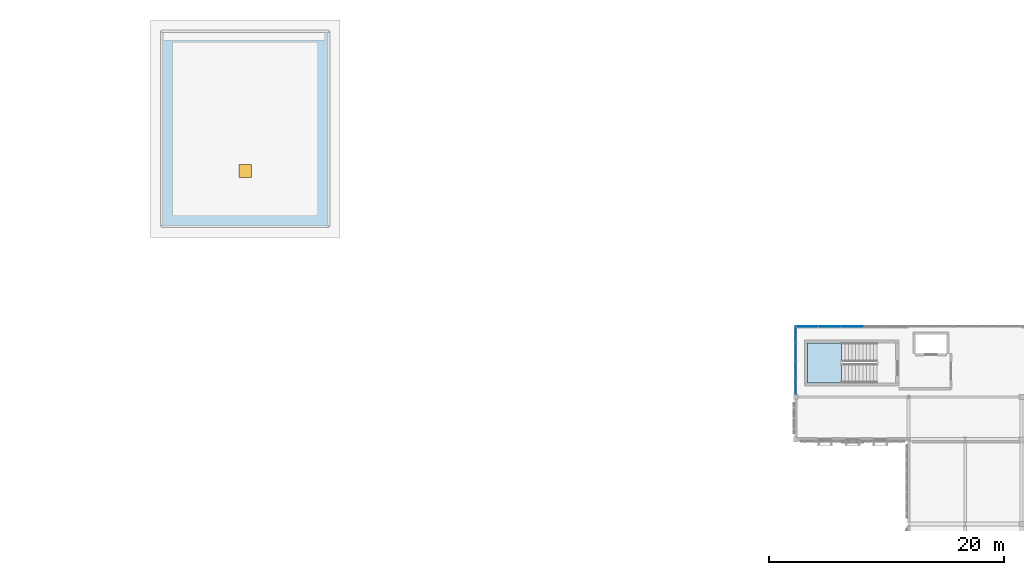
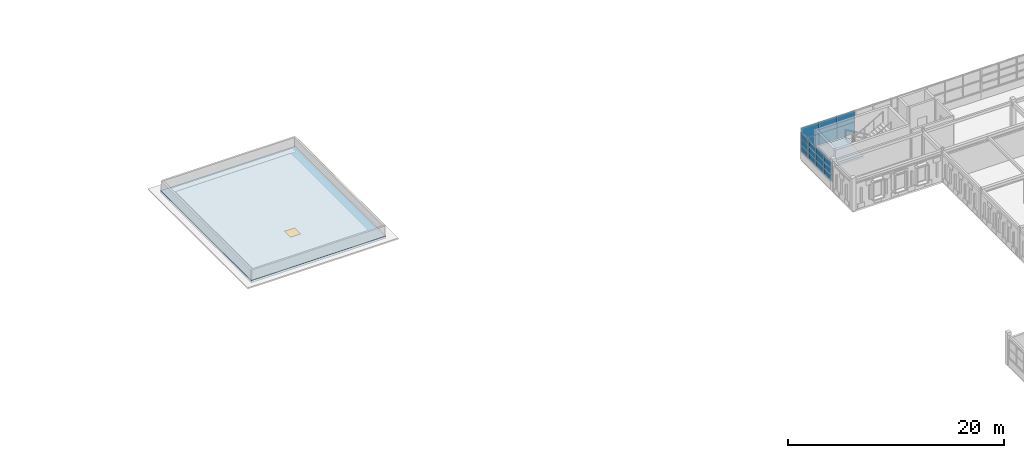
# One storey, part 23 of 46: 18 plates, 2 slabs, 1 door, 1 opening, 3 elements without a shape of their own.
"""IFC4 building model written with IfcOpenShell, lengths in metres."""

from ifc_helpers import new_model, si_unit, direction, frame, origin, origin_2d, place, context, subcontext, project, spatial, polyline, rectangle, outline, extrude, material, layer, layer_set, type_object, element, fill, aggregate, save


model = new_model("IFC4")

# Units and contexts
model_context = context("Model", 3, precision=1e-05, world=origin(), true_north=direction((0.0, 1.0)))
body_context = subcontext(model_context, "Body", "Model", "MODEL_VIEW")
ifc_project = project(units=[si_unit("LENGTHUNIT", "METRE"), si_unit("AREAUNIT", "SQUARE_METRE"), si_unit("VOLUMEUNIT", "CUBIC_METRE"), si_unit("PLANEANGLEUNIT", "RADIAN"), si_unit("MASSUNIT", "GRAM", prefix="KILO")], contexts=[model_context])

# Site, building, storey
site_placement = place(None, origin())
site = spatial("IfcSite", under=ifc_project, at=site_placement, CompositionType="ELEMENT")
building_placement = place(site_placement, origin())
building = spatial("IfcBuilding", under=site, at=building_placement, Name="Nzembalo Square Collegiate School", CompositionType="ELEMENT")
storey_placement = place(building_placement, frame((0.0, 0.0, 17.340087890625)))
storey = spatial("IfcBuildingStorey", under=building, at=storey_placement, Name="L04", CompositionType="ELEMENT", Elevation=17.340087890625)

# Curtain wall, plates
ifc_material_1 = material(Name="Aluminium 6060-T66", Category="aluminium")
curtain_wall_type_1 = type_object("IfcCurtainWallType", Name="CW-02", PredefinedType="USERDEFINED", material=ifc_material_1)
curtain_wall_1_placement = place(storey_placement, origin())
curtain_wall_1 = element("IfcCurtainWall", 1, at=curtain_wall_1_placement, inside=storey, type_object=curtain_wall_type_1, Name="Curtain wall CW-02 cw:L04:137", ObjectType="UNITISED", PredefinedType="USERDEFINED")
ifc_material_2 = material(Name="Laminated solar-control double glazing", Category="glass")
ifc_layer_1 = layer(ifc_material_2, 0.028076171875, Name="Laminated solar-control double glazing")
ifc_layer_set_1 = layer_set([ifc_layer_1], Name="Laminated solar-control double glazing")
plate_type_1 = type_object("IfcPlateType", Name="PN01", PredefinedType="CURTAIN_PANEL", material=ifc_layer_set_1)
plate_1_placement = place(storey_placement, frame((130.800048828125, 83.735595703125, 0.85400390625), z_axis=(0.0, 0.0, 1.0), x_axis=(0.0, 1.0, 0.0)))
plate_1 = element("IfcPlate", 2, at=plate_1_placement, type_object=plate_type_1, Name="PN01 glazed panel 1-1", PredefinedType="CURTAIN_PANEL", context=body_context, shape_type="SweptSolid", body=[
    extrude(rectangle(XDim=1.43896484375, YDim=0.028076171875, at=origin_2d()), origin(), (0.0, 0.0, 1.0), 0.70166015625),
])
plate_2_placement = place(storey_placement, frame((130.800048828125, 85.1826171875, 0.85400390625), z_axis=(0.0, 0.0, 1.0), x_axis=(0.0, 1.0, 0.0)))
plate_2 = element("IfcPlate", 3, at=plate_2_placement, type_object=plate_type_1, Name="PN01 glazed panel 1-2", PredefinedType="CURTAIN_PANEL", context=body_context, shape_type="SweptSolid", body=[
    extrude(rectangle(XDim=1.43896484375, YDim=0.028076171875, at=origin_2d()), origin(), (0.0, 0.0, 1.0), 0.70166015625),
])
plate_3_placement = place(storey_placement, frame((130.800048828125, 86.62939453125, 0.85400390625), z_axis=(0.0, 0.0, 1.0), x_axis=(0.0, 1.0, 0.0)))
plate_3 = element("IfcPlate", 4, at=plate_3_placement, type_object=plate_type_1, Name="PN01 glazed panel 1-3", PredefinedType="CURTAIN_PANEL", context=body_context, shape_type="SweptSolid", body=[
    extrude(rectangle(XDim=1.43896484375, YDim=0.028076171875, at=origin_2d()), origin(), (0.0, 0.0, 1.0), 0.70166015625),
])
plate_4_placement = place(storey_placement, frame((130.800048828125, 88.076416015625, 0.85400390625), z_axis=(0.0, 0.0, 1.0), x_axis=(0.0, 1.0, 0.0)))
plate_4 = element("IfcPlate", 5, at=plate_4_placement, type_object=plate_type_1, Name="PN01 glazed panel 1-4", PredefinedType="CURTAIN_PANEL", context=body_context, shape_type="SweptSolid", body=[
    extrude(rectangle(XDim=1.43896484375, YDim=0.028076171875, at=origin_2d()), origin(), (0.0, 0.0, 1.0), 0.70166015625),
])
plate_5_placement = place(storey_placement, frame((130.800048828125, 83.735595703125, 1.5634765625), z_axis=(0.0, 0.0, 1.0), x_axis=(0.0, 1.0, 0.0)))
plate_5 = element("IfcPlate", 6, at=plate_5_placement, type_object=plate_type_1, Name="PN01 glazed panel 2-1", PredefinedType="CURTAIN_PANEL", context=body_context, shape_type="SweptSolid", body=[
    extrude(rectangle(XDim=1.43896484375, YDim=0.028076171875, at=origin_2d()), origin(), (0.0, 0.0, 1.0), 0.70166015625),
])
plate_6_placement = place(storey_placement, frame((130.800048828125, 85.1826171875, 1.5634765625), z_axis=(0.0, 0.0, 1.0), x_axis=(0.0, 1.0, 0.0)))
plate_6 = element("IfcPlate", 7, at=plate_6_placement, type_object=plate_type_1, Name="PN01 glazed panel 2-2", PredefinedType="CURTAIN_PANEL", context=body_context, shape_type="SweptSolid", body=[
    extrude(rectangle(XDim=1.43896484375, YDim=0.028076171875, at=origin_2d()), origin(), (0.0, 0.0, 1.0), 0.70166015625),
])
plate_7_placement = place(storey_placement, frame((130.800048828125, 86.62939453125, 1.5634765625), z_axis=(0.0, 0.0, 1.0), x_axis=(0.0, 1.0, 0.0)))
plate_7 = element("IfcPlate", 8, at=plate_7_placement, type_object=plate_type_1, Name="PN01 glazed panel 2-3", PredefinedType="CURTAIN_PANEL", context=body_context, shape_type="SweptSolid", body=[
    extrude(rectangle(XDim=1.43896484375, YDim=0.028076171875, at=origin_2d()), origin(), (0.0, 0.0, 1.0), 0.70166015625),
])
plate_8_placement = place(storey_placement, frame((130.800048828125, 88.076416015625, 1.5634765625), z_axis=(0.0, 0.0, 1.0), x_axis=(0.0, 1.0, 0.0)))
plate_8 = element("IfcPlate", 9, at=plate_8_placement, type_object=plate_type_1, Name="PN01 glazed panel 2-4", PredefinedType="CURTAIN_PANEL", context=body_context, shape_type="SweptSolid", body=[
    extrude(rectangle(XDim=1.43896484375, YDim=0.028076171875, at=origin_2d()), origin(), (0.0, 0.0, 1.0), 0.70166015625),
])
plate_9_placement = place(storey_placement, frame((130.800048828125, 83.735595703125, 2.273193359375), z_axis=(0.0, 0.0, 1.0), x_axis=(0.0, 1.0, 0.0)))
plate_9 = element("IfcPlate", 10, at=plate_9_placement, type_object=plate_type_1, Name="PN01 glazed panel 3-1", PredefinedType="CURTAIN_PANEL", context=body_context, shape_type="SweptSolid", body=[
    extrude(rectangle(XDim=1.43896484375, YDim=0.028076171875, at=origin_2d()), origin(), (0.0, 0.0, 1.0), 0.70166015625),
])
plate_10_placement = place(storey_placement, frame((130.800048828125, 85.1826171875, 2.273193359375), z_axis=(0.0, 0.0, 1.0), x_axis=(0.0, 1.0, 0.0)))
plate_10 = element("IfcPlate", 11, at=plate_10_placement, type_object=plate_type_1, Name="PN01 glazed panel 3-2", PredefinedType="CURTAIN_PANEL", context=body_context, shape_type="SweptSolid", body=[
    extrude(rectangle(XDim=1.43896484375, YDim=0.028076171875, at=origin_2d()), origin(), (0.0, 0.0, 1.0), 0.70166015625),
])
plate_11_placement = place(storey_placement, frame((130.800048828125, 86.62939453125, 2.273193359375), z_axis=(0.0, 0.0, 1.0), x_axis=(0.0, 1.0, 0.0)))
plate_11 = element("IfcPlate", 12, at=plate_11_placement, type_object=plate_type_1, Name="PN01 glazed panel 3-3", PredefinedType="CURTAIN_PANEL", context=body_context, shape_type="SweptSolid", body=[
    extrude(rectangle(XDim=1.43896484375, YDim=0.028076171875, at=origin_2d()), origin(), (0.0, 0.0, 1.0), 0.70166015625),
])
plate_12_placement = place(storey_placement, frame((130.800048828125, 88.076416015625, 2.273193359375), z_axis=(0.0, 0.0, 1.0), x_axis=(0.0, 1.0, 0.0)))
plate_12 = element("IfcPlate", 13, at=plate_12_placement, type_object=plate_type_1, Name="PN01 glazed panel 3-4", PredefinedType="CURTAIN_PANEL", context=body_context, shape_type="SweptSolid", body=[
    extrude(rectangle(XDim=1.43896484375, YDim=0.028076171875, at=origin_2d()), origin(), (0.0, 0.0, 1.0), 0.70166015625),
])
aggregate(curtain_wall_1, [plate_1, plate_2, plate_3, plate_4, plate_5, plate_6, plate_7, plate_8, plate_9, plate_10, plate_11, plate_12])

ifc_material_3 = material(Name="Aluminium 6060-T66", Category="aluminium")
curtain_wall_type_2 = type_object("IfcCurtainWallType", Name="CW-11", PredefinedType="USERDEFINED", material=ifc_material_3)
curtain_wall_2_placement = place(storey_placement, origin())
curtain_wall_2 = element("IfcCurtainWall", 14, at=curtain_wall_2_placement, inside=storey, type_object=curtain_wall_type_2, Name="Curtain wall CW-11 cw:L04:138", ObjectType="LANCET", PredefinedType="USERDEFINED")
ifc_material_4 = material(Name="Acoustic laminated solar-control glazing", Category="glass")
ifc_layer_2 = layer(ifc_material_4, 0.031982421875, Name="Acoustic laminated solar-control glazing")
ifc_layer_set_2 = layer_set([ifc_layer_2], Name="Acoustic laminated solar-control glazing")
plate_type_2 = type_object("IfcPlateType", Name="PN02", PredefinedType="CURTAIN_PANEL", material=ifc_layer_set_2)
plate_13_placement = place(storey_placement, frame((131.760009765625, 88.800048828125, 0.85400390625), z_axis=(0.0, 0.0, 1.0), x_axis=(1.0, 0.0, 0.0)))
plate_13 = element("IfcPlate", 15, at=plate_13_placement, type_object=plate_type_2, Name="PN02 glazed panel 1-1", PredefinedType="CURTAIN_PANEL", context=body_context, shape_type="SweptSolid", body=[
    extrude(rectangle(XDim=1.912109375, YDim=0.031982421875, at=origin_2d()), origin(), (0.0, 0.0, 1.0), 1.283935546875),
])
plate_14_placement = place(storey_placement, frame((133.679931640625, 88.800048828125, 0.85400390625), z_axis=(0.0, 0.0, 1.0), x_axis=(1.0, 0.0, 0.0)))
plate_14 = element("IfcPlate", 16, at=plate_14_placement, type_object=plate_type_2, Name="PN02 glazed panel 1-2", PredefinedType="CURTAIN_PANEL", context=body_context, shape_type="SweptSolid", body=[
    extrude(rectangle(XDim=1.912109375, YDim=0.031982421875, at=origin_2d()), origin(), (0.0, 0.0, 1.0), 1.283935546875),
])
plate_15_placement = place(storey_placement, frame((135.60009765625, 88.800048828125, 0.85400390625), z_axis=(0.0, 0.0, 1.0), x_axis=(1.0, 0.0, 0.0)))
plate_15 = element("IfcPlate", 17, at=plate_15_placement, type_object=plate_type_2, Name="PN02 glazed panel 1-3", PredefinedType="CURTAIN_PANEL", context=body_context, shape_type="SweptSolid", body=[
    extrude(rectangle(XDim=1.912109375, YDim=0.031982421875, at=origin_2d()), origin(), (0.0, 0.0, 1.0), 1.283935546875),
])
plate_16_placement = place(storey_placement, frame((131.760009765625, 88.800048828125, 2.14599609375), z_axis=(0.0, 0.0, 1.0), x_axis=(1.0, 0.0, 0.0)))
plate_16 = element("IfcPlate", 18, at=plate_16_placement, type_object=plate_type_2, Name="PN02 glazed panel 2-1", PredefinedType="CURTAIN_PANEL", context=body_context, shape_type="SweptSolid", body=[
    extrude(rectangle(XDim=1.912109375, YDim=0.031982421875, at=origin_2d()), origin(), (0.0, 0.0, 1.0), 1.283935546875),
])
plate_17_placement = place(storey_placement, frame((133.679931640625, 88.800048828125, 2.14599609375), z_axis=(0.0, 0.0, 1.0), x_axis=(1.0, 0.0, 0.0)))
plate_17 = element("IfcPlate", 19, at=plate_17_placement, type_object=plate_type_2, Name="PN02 glazed panel 2-2", PredefinedType="CURTAIN_PANEL", context=body_context, shape_type="SweptSolid", body=[
    extrude(rectangle(XDim=1.912109375, YDim=0.031982421875, at=origin_2d()), origin(), (0.0, 0.0, 1.0), 1.283935546875),
])
plate_18_placement = place(storey_placement, frame((135.60009765625, 88.800048828125, 2.14599609375), z_axis=(0.0, 0.0, 1.0), x_axis=(1.0, 0.0, 0.0)))
plate_18 = element("IfcPlate", 20, at=plate_18_placement, type_object=plate_type_2, Name="PN02 glazed panel 2-3", PredefinedType="CURTAIN_PANEL", context=body_context, shape_type="SweptSolid", body=[
    extrude(rectangle(XDim=1.912109375, YDim=0.031982421875, at=origin_2d()), origin(), (0.0, 0.0, 1.0), 1.283935546875),
])
aggregate(curtain_wall_2, [plate_13, plate_14, plate_15, plate_16, plate_17, plate_18])

# Stair, slab
ifc_material_5 = material(Name="Precast concrete C40/50", Category="concrete")
stair_type = type_object("IfcStairType", Name="ST-22R", PredefinedType="HALF_TURN_STAIR", material=ifc_material_5)
stair_placement = place(storey_placement, origin())
stair = element("IfcStair", 21, at=stair_placement, inside=storey, type_object=stair_type, Name="Escape stair ST-17 (C4 L04)", PredefinedType="HALF_TURN_STAIR")
ifc_material_6 = material(Name="Precast concrete C40/50", Category="concrete")
ifc_layer_3 = layer(ifc_material_6, 0.199951171875, Name="Precast concrete C40/50")
ifc_layer_set_3 = layer_set([ifc_layer_3], Name="Precast concrete C40/50")
slab_type_1 = type_object("IfcSlabType", Name="SL-LDG", PredefinedType="LANDING", material=ifc_layer_set_3)
slab_1_placement = place(storey_placement, frame((0.0, 0.0, 1.669921875)))
slab_1 = element("IfcSlab", 22, at=slab_1_placement, type_object=slab_type_1, Name="ST-17 landing 1", PredefinedType="LANDING", context=body_context, shape_type="SweptSolid", body=[
    extrude(outline(polyline([(134.699951171875, 87.39990234375), (131.800048828125, 87.39990234375), (131.800048828125, 84.0), (134.699951171875, 84.0), (134.699951171875, 87.39990234375)])), origin(), (0.0, 0.0, 1.0), 0.199951171875),
])
aggregate(stair, [slab_1])

# Slab, opening, door
ifc_material_7 = material(Name="CLT CL24", Category="wood")
ifc_layer_4 = layer(ifc_material_7, 0.27001953125, Name="CLT CL24")
ifc_layer_set_4 = layer_set([ifc_layer_4], Name="CLT CL24")
slab_type_2 = type_object("IfcSlabType", Name="RS-F27", PredefinedType="ROOF", material=ifc_layer_set_4)
slab_2_placement = place(storey_placement, frame((0.0, 0.0, -0.27001953125)))
slab_2 = element("IfcSlab", 23, at=slab_2_placement, inside=storey, type_object=slab_type_2, Name="Step roof slab RS-L04-CB", PredefinedType="ROOF", context=body_context, shape_type="SweptSolid", body=[
    extrude(outline(polyline([(76.800048828125, 97.199951171875), (91.199951171875, 97.199951171875), (91.199951171875, 114.0), (76.800048828125, 114.0), (76.800048828125, 97.199951171875)])), origin(), (0.0, 0.0, 1.0), 0.27001953125),
])
opening_placement = place(slab_2_placement, frame((84.0, 102.0, -0.010009765625)))
opening = element("IfcOpeningElement", 24, at=opening_placement, cuts=slab_2, Name="Opening HD-05", PredefinedType="OPENING", context=body_context, shape_type="SweptSolid", body=[
    extrude(rectangle(XDim=1.10009765625, YDim=1.10009765625, at=origin_2d()), origin(), (0.0, 0.0, 1.0), 0.2900390625),
])
ifc_material_8 = material(Name="Insulated galvanised steel", Category="steel")
door_type = type_object("IfcDoorType", Name="RH01", OperationType="SINGLE_SWING_LEFT", PredefinedType="TRAPDOOR", material=ifc_material_8)
door_placement = place(slab_2_placement, frame((84.0, 102.0, 0.2099609375)))
door = element("IfcDoor", 25, at=door_placement, inside=storey, type_object=door_type, Name="Roof access hatch HD-05", OperationType="SINGLE_SWING_LEFT", OverallHeight=1.10009765625, OverallWidth=1.10009765625, PredefinedType="TRAPDOOR", context=body_context, shape_type="SweptSolid", body=[
    extrude(rectangle(XDim=1.10009765625, YDim=1.10009765625, at=origin_2d()), origin(), (0.0, 0.0, 1.0), 0.06005859375),
])
fill(opening, door)

save(model, "model.ifc")
